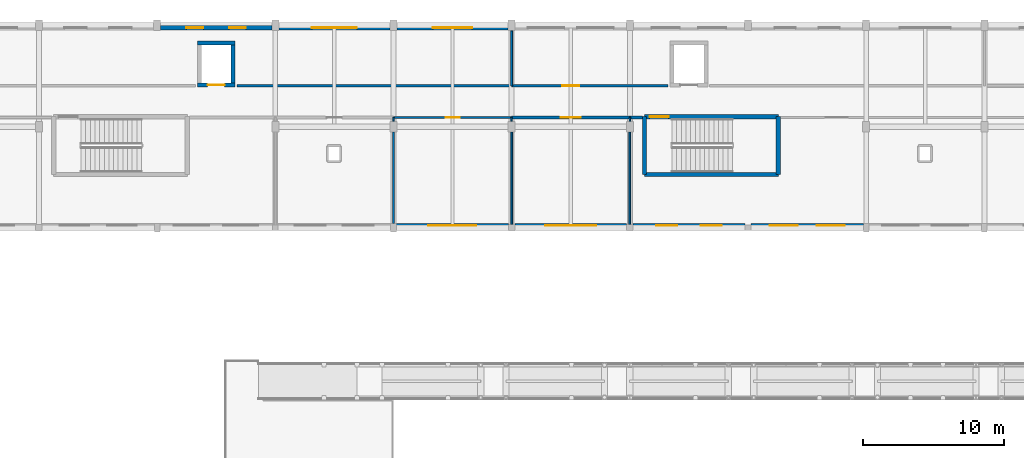
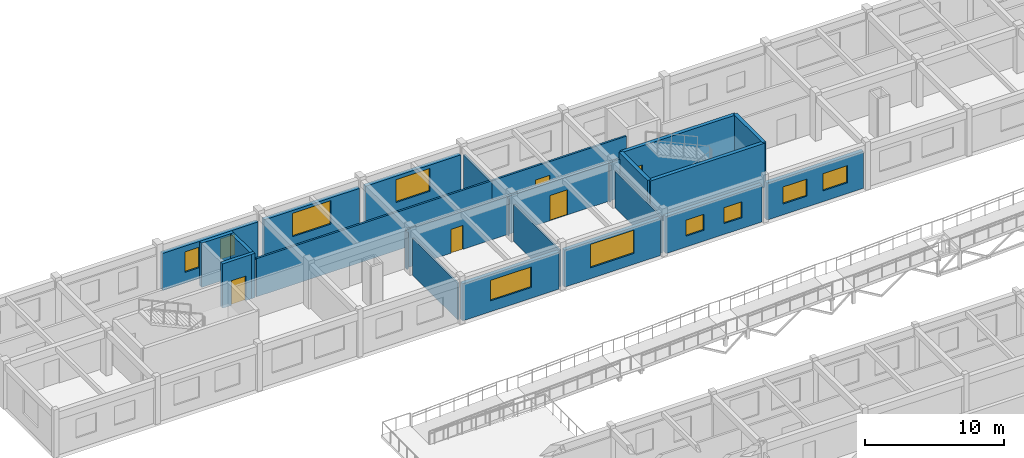
# One storey, part 30 of 41: 26 walls, 10 windows, 5 doors, 15 openings.
"""IFC4 building model written with IfcOpenShell, lengths in metres."""

import ifcopenshell
import ifcopenshell.guid

model = None  # the IFC model being written
_history = None  # IfcOwnerHistory: only IFC2X3 demands one
_inside = {}  # id of a spatial element -> (the spatial element, [elements in it])
_under = {}  # id of a project, library or spatial element -> (it, [spatial elements below it])
_declared = {}  # id of a project -> (the project, [libraries it declares])
_typed = {}  # id of a type object -> (the type object, [elements of that type])
_made_of = {}  # id of a material, layer set ... -> (it, [elements and type objects made of it])


def new_model(schema):
    """Start an empty IFC model of exactly this schema.

    Asked for "IFC4X3", IfcOpenShell would pick the latest addendum, in which some entities
    have other attributes; the version numbers below select the first issue.
    IFC2X3 requires an IfcOwnerHistory on every rooted entity: one is made here for all.
    """
    global model, _history
    if schema == "IFC4X3":
        model = ifcopenshell.file(schema_version=(4, 3, 0, 0))
    else:
        model = ifcopenshell.file(schema=schema)
    _inside.clear()
    _under.clear()
    _declared.clear()
    _typed.clear()
    _made_of.clear()
    _history = None
    if model.schema == "IFC2X3":
        org = make("IfcOrganization", Name="unknown")
        user = make(
            "IfcPersonAndOrganization",
            ThePerson=make("IfcPerson", FamilyName="unknown"),
            TheOrganization=org,
        )
        app = make(
            "IfcApplication",
            ApplicationDeveloper=org,
            Version="unknown",
            ApplicationFullName="unknown",
            ApplicationIdentifier="unknown",
        )
        _history = make(
            "IfcOwnerHistory",
            OwningUser=user,
            OwningApplication=app,
            ChangeAction="ADDED",
            CreationDate=0,
        )
    return model


def make(cls, **values):
    """One entity of the class cls with the attributes given. An attribute that is None is left unset."""
    return model.create_entity(
        cls, **{name: value for name, value in values.items() if value is not None}
    )


def rooted(cls, **values):
    """An entity with a GlobalId (a new one), such as an element, a storey or a relation."""
    return make(cls, GlobalId=ifcopenshell.guid.new(), OwnerHistory=_history, **values)


def si_unit(unit_type, name, prefix=None):
    """IfcSIUnit, for example si_unit("LENGTHUNIT", "METRE", prefix="MILLI")."""
    return make("IfcSIUnit", UnitType=unit_type, Prefix=prefix, Name=name)


def assignment(units):
    """IfcUnitAssignment: the units of a project."""
    return None if units is None else make("IfcUnitAssignment", Units=units)


def point(xyz):
    """IfcCartesianPoint."""
    return None if xyz is None else make("IfcCartesianPoint", Coordinates=xyz)


def direction(xyz):
    """IfcDirection."""
    return None if xyz is None else make("IfcDirection", DirectionRatios=xyz)


def frame(location, z_axis=None, x_axis=None):
    """IfcAxis2Placement3D, a coordinate frame: its origin and axes. An axis left out is left unset."""
    return make(
        "IfcAxis2Placement3D",
        Location=point(location),
        Axis=direction(z_axis),
        RefDirection=direction(x_axis),
    )


def frame_2d(location, x_axis=None):
    """IfcAxis2Placement2D, a coordinate frame in the plane: its origin and x axis."""
    return make(
        "IfcAxis2Placement2D", Location=point(location), RefDirection=direction(x_axis)
    )


def origin():
    """The frame at (0, 0, 0) with its axes left unset."""
    return frame((0.0, 0.0, 0.0))


def place(relative_to, where):
    """IfcLocalPlacement: puts the frame where relative to a parent placement (None: the world)."""
    return make(
        "IfcLocalPlacement", PlacementRelTo=relative_to, RelativePlacement=where
    )


def context(
    kind, dimensions, precision=None, world=None, true_north=None, identifier=None
):
    """IfcGeometricRepresentationContext, for example the 3D "Model" context."""
    return make(
        "IfcGeometricRepresentationContext",
        ContextIdentifier=identifier,
        ContextType=kind,
        CoordinateSpaceDimension=dimensions,
        Precision=precision,
        WorldCoordinateSystem=world,
        TrueNorth=true_north,
    )


def subcontext(parent, identifier, kind, view, scale=None):
    """IfcGeometricRepresentationSubContext, for example "Body" below "Model"."""
    return make(
        "IfcGeometricRepresentationSubContext",
        ContextIdentifier=identifier,
        ContextType=kind,
        ParentContext=parent,
        TargetScale=scale,
        TargetView=view,
    )


def project(units=None, contexts=None):
    """IfcProject with its units and contexts."""
    return rooted(
        "IfcProject",
        Name="project",
        RepresentationContexts=contexts,
        UnitsInContext=assignment(units),
    )


def spatial(cls, under=None, at=None, **own):
    """A site, building, storey or space (cls), placed at a placement, below another one or the project."""
    s = rooted(cls, ObjectPlacement=at, **own)
    if under is not None:
        _under.setdefault(under.id(), (under, []))[1].append(s)
    return s


def profile(cls, at=None, kind="AREA", **sizes):
    """A parametric profile (cls). Its sizes go by their IFC names, for example OverallWidth=200.0."""
    return make(cls, ProfileType=kind, Position=at, **sizes)


def rectangle(**sizes):
    """IfcRectangleProfileDef."""
    return profile("IfcRectangleProfileDef", **sizes)


def extrude(swept, where, along, depth):
    """IfcExtrudedAreaSolid: the profile swept, set in the frame where, extruded along a direction by depth."""
    return make(
        "IfcExtrudedAreaSolid",
        SweptArea=swept,
        Position=where,
        ExtrudedDirection=direction(along),
        Depth=depth,
    )


def shape(context_of_items, identifier, shape_type, items):
    """IfcShapeRepresentation: the items that make up one representation, for example the "Body"."""
    return make(
        "IfcShapeRepresentation",
        ContextOfItems=context_of_items,
        RepresentationIdentifier=identifier,
        RepresentationType=shape_type,
        Items=items,
    )


def material(Name=None, Category=None):
    """IfcMaterial."""
    return make("IfcMaterial", Name=Name, Category=Category)


def layer(
    of_material, thickness, ventilated=None, Name=None, Category=None, Priority=None
):
    """IfcMaterialLayer: one layer of a wall or slab, of a material (None: an air gap)."""
    return make(
        "IfcMaterialLayer",
        Material=of_material,
        LayerThickness=thickness,
        IsVentilated=ventilated,
        Name=Name,
        Category=Category,
        Priority=Priority,
    )


def layer_set(layers, Name=None):
    """IfcMaterialLayerSet."""
    return make("IfcMaterialLayerSet", MaterialLayers=layers, LayerSetName=Name)


def made_of(thing, what):
    """Note that an element or type object is made of a material, layer set ...; save() writes the relation."""
    if what is not None:
        _made_of.setdefault(what.id(), (what, []))[1].append(thing)
    return thing


def type_object(cls, material=None, **own):
    """A type object (cls), such as IfcWallType, which elements share."""
    return made_of(rooted(cls, **own), material)


def element(
    cls,
    number,
    at=None,
    inside=None,
    cuts=None,
    type_object=None,
    material=None,
    context=None,
    identifier="Body",
    shape_type=None,
    held_by="IfcProductDefinitionShape",
    body=None,
    shapes=None,
    **own,
):
    """One element of the class cls, such as IfcWall. Its Tag is "e" and its number.

    at: its placement. inside: the storey or other place that contains it. cuts: it is an
    opening in that element (IfcRelVoidsElement). A single representation is given by context,
    identifier, shape_type and body (its items); several are given by shapes. held_by: the class
    of the entity that holds the representations. save() writes the other relations.
    """
    e = rooted(cls, Tag="e%d" % number, ObjectPlacement=at, **own)
    if body is not None:
        shapes = [shape(context, identifier, shape_type, body)]
    if shapes is not None:
        e.Representation = make(held_by, Representations=shapes)
    if inside is not None:
        _inside.setdefault(inside.id(), (inside, []))[1].append(e)
    if cuts is not None:
        rooted(
            "IfcRelVoidsElement", RelatingBuildingElement=cuts, RelatedOpeningElement=e
        )
    if type_object is not None:
        _typed.setdefault(type_object.id(), (type_object, []))[1].append(e)
    return made_of(e, material)


def fill(opening, filler):
    """IfcRelFillsElement: the door or window that sits in an opening."""
    return rooted(
        "IfcRelFillsElement",
        RelatingOpeningElement=opening,
        RelatedBuildingElement=filler,
    )


def aggregate(whole, parts):
    """IfcRelAggregates: a whole, such as a stair, and the parts it consists of."""
    return rooted("IfcRelAggregates", RelatingObject=whole, RelatedObjects=parts)


def save(model, path):
    """Write the relations noted so far, then the file.

    IfcRelAggregates (storeys below a building ...), IfcRelContainedInSpatialStructure (elements
    in a storey), IfcRelDefinesByType, IfcRelAssociatesMaterial and IfcRelDeclares: one each for
    every whole, place, type object, material and project.
    """
    for whole, parts in _under.values():
        aggregate(whole, parts)
    for where, things in _inside.values():
        rooted(
            "IfcRelContainedInSpatialStructure",
            RelatedElements=things,
            RelatingStructure=where,
        )
    for kind, things in _typed.values():
        rooted("IfcRelDefinesByType", RelatedObjects=things, RelatingType=kind)
    for what, things in _made_of.values():
        rooted("IfcRelAssociatesMaterial", RelatedObjects=things, RelatingMaterial=what)
    for by, libraries in _declared.values():
        rooted("IfcRelDeclares", RelatingContext=by, RelatedDefinitions=libraries)
    model.write(path)


model = new_model("IFC4")

# Units and contexts
model_context = context("Model", 3, precision=1e-05, world=origin(), true_north=direction((0.0, 1.0)))
body_context = subcontext(model_context, "Body", "Model", "MODEL_VIEW")
ifc_project = project(units=[si_unit("LENGTHUNIT", "METRE"), si_unit("AREAUNIT", "SQUARE_METRE"), si_unit("VOLUMEUNIT", "CUBIC_METRE"), si_unit("PLANEANGLEUNIT", "RADIAN"), si_unit("MASSUNIT", "GRAM", prefix="KILO")], contexts=[model_context])

# Site, building, storey
site_placement = place(None, origin())
site = spatial("IfcSite", under=ifc_project, at=site_placement, CompositionType="ELEMENT")
building_placement = place(site_placement, origin())
building = spatial("IfcBuilding", under=site, at=building_placement, Name="Malvenik Polytechnic", CompositionType="ELEMENT")
storey_placement = place(building_placement, frame((0.0, 0.0, 17.699951171875)))
storey = spatial("IfcBuildingStorey", under=building, at=storey_placement, Name="L04", CompositionType="ELEMENT", Elevation=17.699951171875)

# Wall, opening, door
ifc_material_1 = material(Name="Concrete C35/45", Category="concrete")
ifc_layer_1 = layer(ifc_material_1, 0.280029296875)
ifc_layer_set_1 = layer_set([ifc_layer_1], Name="Concrete C35/45")
wall_type_1 = type_object("IfcWallType", Name="ARC-CW-S280", PredefinedType="SHEAR", material=ifc_layer_set_1)
wall_1_placement = place(storey_placement, frame((22.340087890625, 125.35009765625, 0.0), z_axis=(0.0, 0.0, 1.0), x_axis=(-1.0, 0.0, 0.0)))
wall_1 = element("IfcWall", 1, at=wall_1_placement, inside=storey, type_object=wall_type_1, Name="Lift Shaft Shear Wall LS-01 L04 -Y", PredefinedType="SHEAR", context=body_context, shape_type="SweptSolid", body=[
    extrude(rectangle(XDim=2.68017578125, YDim=0.280029296875, at=frame_2d((1.340087890625, 0.0))), origin(), (0.0, 0.0, 1.0), 3.880126953125),
])
opening_1_placement = place(wall_1_placement, frame((0.739990234375, 0.0, 0.0)))
opening_1 = element("IfcOpeningElement", 2, at=opening_1_placement, cuts=wall_1, Name="Opening LD-02", PredefinedType="OPENING", context=body_context, shape_type="SweptSolid", body=[
    extrude(rectangle(XDim=1.199951171875, YDim=2.14990234375, at=frame_2d((0.60009765625, 1.074951171875))), frame((0.0, 0.14990234375, 0.0), z_axis=(0.0, -1.0, 0.0), x_axis=(1.0, 0.0, 0.0)), (0.0, 0.0, 1.0), 0.300048828125),
])
ifc_material_2 = material(Name="Stainless steel fire-rated sliding lift landing door", Category="steel")
door_type_1 = type_object("IfcDoorType", Name="ARC-LDR-LD-02", OperationType="NOTDEFINED", PredefinedType="DOOR", material=ifc_material_2)
door_1_placement = place(opening_1_placement, origin())
door_1 = element("IfcDoor", 3, at=door_1_placement, inside=storey, type_object=door_type_1, Name="Lift Sliding Landing Door LS-01 L04", OperationType="DOUBLE_DOOR_SLIDING", OverallHeight=2.14990234375, OverallWidth=1.199951171875, PredefinedType="DOOR", context=body_context, shape_type="SweptSolid", body=[
    extrude(rectangle(XDim=1.199951171875, YDim=2.14990234375, at=frame_2d((0.60009765625, 1.074951171875))), frame((0.0, 0.02490234375, 0.0), z_axis=(0.0, -1.0, 0.0), x_axis=(1.0, 0.0, 0.0)), (0.0, 0.0, 1.0), 0.050048828125),
])
fill(opening_1, door_1)

# Walls
wall_2_placement = place(storey_placement, frame((19.659912109375, 128.35009765625, 0.0), z_axis=(0.0, 0.0, 1.0), x_axis=(1.0, 0.0, 0.0)))
element("IfcWall", 4, at=wall_2_placement, inside=storey, type_object=wall_type_1, Name="Lift Shaft Shear Wall LS-01 L04 +Y", PredefinedType="SHEAR", context=body_context, shape_type="SweptSolid", body=[
    extrude(rectangle(XDim=2.68017578125, YDim=0.280029296875, at=frame_2d((1.340087890625, 0.0))), origin(), (0.0, 0.0, 1.0), 3.880126953125),
])
wall_3_placement = place(storey_placement, frame((22.199951171875, 128.489990234375, 0.0), z_axis=(0.0, 0.0, 1.0), x_axis=(0.0, -1.0, 0.0)))
element("IfcWall", 5, at=wall_3_placement, inside=storey, type_object=wall_type_1, Name="Lift Shaft Shear Wall LS-01 L04 +X", PredefinedType="SHEAR", context=body_context, shape_type="SweptSolid", body=[
    extrude(rectangle(XDim=3.280029296875, YDim=0.280029296875, at=frame_2d((1.64013671875, 0.0))), origin(), (0.0, 0.0, 1.0), 3.880126953125),
])
ifc_layer_2 = layer(ifc_material_1, 0.300048828125)
ifc_layer_set_2 = layer_set([ifc_layer_2], Name="Concrete C35/45")
wall_type_2 = type_object("IfcWallType", Name="ARC-CW-S300", PredefinedType="SHEAR", material=ifc_layer_set_2)
wall_4_placement = place(storey_placement, frame((51.449951171875, 119.0, 0.0), z_axis=(0.0, 0.0, 1.0), x_axis=(0.0, 1.0, 0.0)))
element("IfcWall", 6, at=wall_4_placement, inside=storey, type_object=wall_type_2, Name="Stair Core Shear Wall ST-02 L04 NEAR", PredefinedType="SHEAR", context=body_context, shape_type="SweptSolid", body=[
    extrude(rectangle(XDim=4.10009765625, YDim=0.300048828125, at=frame_2d((2.050048828125, 0.0))), origin(), (0.0, 0.0, 1.0), 3.880126953125),
])

# Wall, opening, door
wall_5_placement = place(storey_placement, frame((51.449951171875, 123.10009765625, 0.0), z_axis=(0.0, 0.0, 1.0), x_axis=(1.0, 0.0, 0.0)))
wall_5 = element("IfcWall", 7, at=wall_5_placement, inside=storey, type_object=wall_type_2, Name="Stair Core Shear Wall ST-02 L04 RGHT", PredefinedType="SHEAR", context=body_context, shape_type="SweptSolid", body=[
    extrude(rectangle(XDim=9.5, YDim=0.300048828125, at=frame_2d((4.75, 0.0))), origin(), (0.0, 0.0, 1.0), 3.880126953125),
])
opening_2_placement = place(wall_5_placement, frame((0.35009765625, 0.0, 0.0)))
opening_2 = element("IfcOpeningElement", 8, at=opening_2_placement, cuts=wall_5, Name="Opening SD-01", PredefinedType="OPENING", context=body_context, shape_type="SweptSolid", body=[
    extrude(rectangle(XDim=1.35009765625, YDim=2.199951171875, at=frame_2d((0.675048828125, 1.10009765625))), frame((0.0, 0.16015625, 0.0), z_axis=(0.0, -1.0, 0.0), x_axis=(1.0, 0.0, 0.0)), (0.0, 0.0, 1.0), 0.320068359375),
])
ifc_material_3 = material(Name="Fire-rated steel stair enclosure door", Category="steel")
door_type_2 = type_object("IfcDoorType", Name="ARC-IDR-SD-01", OperationType="NOTDEFINED", PredefinedType="DOOR", material=ifc_material_3)
door_2_placement = place(opening_2_placement, origin())
door_2 = element("IfcDoor", 9, at=door_2_placement, inside=storey, type_object=door_type_2, Name="Fire Stair Door ST-02 L04", OperationType="SINGLE_SWING_LEFT", OverallHeight=2.199951171875, OverallWidth=1.35009765625, PredefinedType="DOOR", context=body_context, shape_type="SweptSolid", body=[
    extrude(rectangle(XDim=1.35009765625, YDim=2.199951171875, at=frame_2d((0.675048828125, 1.10009765625))), frame((0.0, 0.02490234375, 0.0), z_axis=(0.0, -1.0, 0.0), x_axis=(1.0, 0.0, 0.0)), (0.0, 0.0, 1.0), 0.050048828125),
])
fill(opening_2, door_2)

# Walls
wall_6_placement = place(storey_placement, frame((60.949951171875, 123.10009765625, 0.0), z_axis=(0.0, 0.0, 1.0), x_axis=(0.0, -1.0, 0.0)))
element("IfcWall", 10, at=wall_6_placement, inside=storey, type_object=wall_type_2, Name="Stair Core Shear Wall ST-02 L04 FAR", PredefinedType="SHEAR", context=body_context, shape_type="SweptSolid", body=[
    extrude(rectangle(XDim=4.10009765625, YDim=0.300048828125, at=frame_2d((2.050048828125, 0.0))), origin(), (0.0, 0.0, 1.0), 3.880126953125),
])
wall_7_placement = place(storey_placement, frame((60.949951171875, 119.0, 0.0), z_axis=(0.0, 0.0, 1.0), x_axis=(-1.0, 0.0, 0.0)))
element("IfcWall", 11, at=wall_7_placement, inside=storey, type_object=wall_type_2, Name="Stair Core Shear Wall ST-02 L04 LEFT", PredefinedType="SHEAR", context=body_context, shape_type="SweptSolid", body=[
    extrude(rectangle(XDim=9.5, YDim=0.300048828125, at=frame_2d((4.75, 0.0))), origin(), (0.0, 0.0, 1.0), 3.880126953125),
])

# Wall, openings, windows
ifc_material_4 = material(Name="Brick masonry M15", Category="masonry")
ifc_layer_3 = layer(ifc_material_4, 0.31005859375)
ifc_layer_set_3 = layer_set([ifc_layer_3], Name="Brick masonry M15")
wall_type_3 = type_object("IfcWallType", Name="ARC-EW-310", PredefinedType="SOLIDWALL", material=ifc_layer_set_3)
wall_8_placement = place(storey_placement, frame((17.048095703125, 129.429931640625, 0.0), z_axis=(0.0, 0.0, 1.0), x_axis=(1.0, 0.0, 0.0)))
wall_8 = element("IfcWall", 12, at=wall_8_placement, inside=storey, type_object=wall_type_3, Name="External Facade Wall EW-03 L04 #420", PredefinedType="SOLIDWALL", context=body_context, shape_type="SweptSolid", body=[
    extrude(rectangle(XDim=7.90380859375, YDim=0.31005859375, at=frame_2d((3.951904296875, 0.0))), origin(), (0.0, 0.0, 1.0), 3.25),
])
opening_3_placement = place(wall_8_placement, frame((1.834716796875, 0.0, 0.949951171875)))
opening_3 = element("IfcOpeningElement", 13, at=opening_3_placement, cuts=wall_8, Name="Opening W-07", PredefinedType="OPENING", context=body_context, shape_type="SweptSolid", body=[
    extrude(rectangle(XDim=1.199951171875, YDim=1.800048828125, at=frame_2d((0.60009765625, 0.89990234375))), frame((0.0, 0.1650390625, 0.0), z_axis=(0.0, -1.0, 0.0), x_axis=(1.0, 0.0, 0.0)), (0.0, 0.0, 1.0), 0.330078125),
])
opening_4_placement = place(wall_8_placement, frame((4.869384765625, 0.0, 0.949951171875)))
opening_4 = element("IfcOpeningElement", 14, at=opening_4_placement, cuts=wall_8, Name="Opening W-07", PredefinedType="OPENING", context=body_context, shape_type="SweptSolid", body=[
    extrude(rectangle(XDim=1.199951171875, YDim=1.800048828125, at=frame_2d((0.60009765625, 0.89990234375))), frame((0.0, 0.1650390625, 0.0), z_axis=(0.0, -1.0, 0.0), x_axis=(1.0, 0.0, 0.0)), (0.0, 0.0, 1.0), 0.330078125),
])
ifc_material_5 = material(Name="Thermally broken aluminium frame with low-E double glazing", Category="aluminium")
window_type_1 = type_object("IfcWindowType", Name="ARC-WIN-W-07", PartitioningType="SINGLE_PANEL", PredefinedType="WINDOW", material=ifc_material_5)
window_1_placement = place(opening_3_placement, origin())
window_1 = element("IfcWindow", 15, at=window_1_placement, inside=storey, type_object=window_type_1, Name="Punched Window W-07 L04 #429", OverallHeight=1.800048828125, OverallWidth=1.199951171875, PartitioningType="SINGLE_PANEL", PredefinedType="WINDOW", context=body_context, shape_type="SweptSolid", body=[
    extrude(rectangle(XDim=1.199951171875, YDim=1.800048828125, at=frame_2d((0.60009765625, 0.89990234375))), frame((0.0, 0.030029296875, 0.0), z_axis=(0.0, -1.0, 0.0), x_axis=(1.0, 0.0, 0.0)), (0.0, 0.0, 1.0), 0.06005859375),
])
fill(opening_3, window_1)
window_2_placement = place(opening_4_placement, origin())
window_2 = element("IfcWindow", 16, at=window_2_placement, inside=storey, type_object=window_type_1, Name="Punched Window W-07 L04 #430", OverallHeight=1.800048828125, OverallWidth=1.199951171875, PartitioningType="SINGLE_PANEL", PredefinedType="WINDOW", context=body_context, shape_type="SweptSolid", body=[
    extrude(rectangle(XDim=1.199951171875, YDim=1.800048828125, at=frame_2d((0.60009765625, 0.89990234375))), frame((0.0, 0.030029296875, 0.0), z_axis=(0.0, -1.0, 0.0), x_axis=(1.0, 0.0, 0.0)), (0.0, 0.0, 1.0), 0.06005859375),
])
fill(opening_4, window_2)

# Wall, opening, window
wall_9_placement = place(storey_placement, frame((25.447998046875, 129.429931640625, 0.0), z_axis=(0.0, 0.0, 1.0), x_axis=(1.0, 0.0, 0.0)))
wall_9 = element("IfcWall", 17, at=wall_9_placement, inside=storey, type_object=wall_type_3, Name="External Facade Wall EW-03 L04 #421", PredefinedType="SOLIDWALL", context=body_context, shape_type="SweptSolid", body=[
    extrude(rectangle(XDim=7.904052734375, YDim=0.31005859375, at=frame_2d((3.9521484375, 0.0))), origin(), (0.0, 0.0, 1.0), 3.25),
])
opening_5_placement = place(wall_9_placement, frame((2.35205078125, 0.0, 0.949951171875)))
opening_5 = element("IfcOpeningElement", 18, at=opening_5_placement, cuts=wall_9, Name="Opening W-09", PredefinedType="OPENING", context=body_context, shape_type="SweptSolid", body=[
    extrude(rectangle(XDim=3.199951171875, YDim=2.050048828125, at=frame_2d((1.60009765625, 1.02490234375))), frame((0.0, 0.1650390625, 0.0), z_axis=(0.0, -1.0, 0.0), x_axis=(1.0, 0.0, 0.0)), (0.0, 0.0, 1.0), 0.330078125),
])
window_type_2 = type_object("IfcWindowType", Name="ARC-WIN-W-09", PartitioningType="SINGLE_PANEL", PredefinedType="WINDOW", material=ifc_material_5)
window_3_placement = place(opening_5_placement, origin())
window_3 = element("IfcWindow", 19, at=window_3_placement, inside=storey, type_object=window_type_2, Name="Punched Window W-09 L04 #431", OverallHeight=2.050048828125, OverallWidth=3.199951171875, PartitioningType="SINGLE_PANEL", PredefinedType="WINDOW", context=body_context, shape_type="SweptSolid", body=[
    extrude(rectangle(XDim=3.199951171875, YDim=2.050048828125, at=frame_2d((1.60009765625, 1.02490234375))), frame((0.0, 0.030029296875, 0.0), z_axis=(0.0, -1.0, 0.0), x_axis=(1.0, 0.0, 0.0)), (0.0, 0.0, 1.0), 0.06005859375),
])
fill(opening_5, window_3)

wall_10_placement = place(storey_placement, frame((33.847900390625, 129.429931640625, 0.0), z_axis=(0.0, 0.0, 1.0), x_axis=(1.0, 0.0, 0.0)))
wall_10 = element("IfcWall", 20, at=wall_10_placement, inside=storey, type_object=wall_type_3, Name="External Facade Wall EW-03 L04 #422", PredefinedType="SOLIDWALL", context=body_context, shape_type="SweptSolid", body=[
    extrude(rectangle(XDim=7.904052734375, YDim=0.31005859375, at=frame_2d((3.9521484375, 0.0))), origin(), (0.0, 0.0, 1.0), 3.25),
])
opening_6_placement = place(wall_10_placement, frame((2.552001953125, 0.0, 0.949951171875)))
opening_6 = element("IfcOpeningElement", 21, at=opening_6_placement, cuts=wall_10, Name="Opening W-10", PredefinedType="OPENING", context=body_context, shape_type="SweptSolid", body=[
    extrude(rectangle(XDim=2.800048828125, YDim=2.0, at=frame_2d((1.39990234375, 1.0))), frame((0.0, 0.1650390625, 0.0), z_axis=(0.0, -1.0, 0.0), x_axis=(1.0, 0.0, 0.0)), (0.0, 0.0, 1.0), 0.330078125),
])
window_type_3 = type_object("IfcWindowType", Name="ARC-WIN-W-10", PartitioningType="SINGLE_PANEL", PredefinedType="WINDOW", material=ifc_material_5)
window_4_placement = place(opening_6_placement, origin())
window_4 = element("IfcWindow", 22, at=window_4_placement, inside=storey, type_object=window_type_3, Name="Punched Window W-10 L04 #432", OverallHeight=2.0, OverallWidth=2.800048828125, PartitioningType="SINGLE_PANEL", PredefinedType="WINDOW", context=body_context, shape_type="SweptSolid", body=[
    extrude(rectangle(XDim=2.800048828125, YDim=2.0, at=frame_2d((1.39990234375, 1.0))), frame((0.0, 0.030029296875, 0.0), z_axis=(0.0, -1.0, 0.0), x_axis=(1.0, 0.0, 0.0)), (0.0, 0.0, 1.0), 0.06005859375),
])
fill(opening_6, window_4)

# Wall, openings, windows
wall_11_placement = place(storey_placement, frame((67.001953125, 115.3701171875, 0.0), z_axis=(0.0, 0.0, 1.0), x_axis=(-1.0, 0.0, 0.0)))
wall_11 = element("IfcWall", 23, at=wall_11_placement, inside=storey, type_object=wall_type_3, Name="External Facade Wall EW-03 L04 #444", PredefinedType="SOLIDWALL", context=body_context, shape_type="SweptSolid", body=[
    extrude(rectangle(XDim=8.00390625, YDim=0.31005859375, at=frame_2d((4.001953125, 0.0))), origin(), (0.0, 0.0, 1.0), 3.25),
])
opening_7_placement = place(wall_11_placement, frame((1.334716796875, 0.0, 0.949951171875)))
opening_7 = element("IfcOpeningElement", 24, at=opening_7_placement, cuts=wall_11, Name="Opening W-13", PredefinedType="OPENING", context=body_context, shape_type="SweptSolid", body=[
    extrude(rectangle(XDim=2.0, YDim=1.5, at=frame_2d((1.0, 0.75))), frame((0.0, 0.1650390625, 0.0), z_axis=(0.0, -1.0, 0.0), x_axis=(1.0, 0.0, 0.0)), (0.0, 0.0, 1.0), 0.330078125),
])
opening_8_placement = place(wall_11_placement, frame((4.66943359375, 0.0, 0.949951171875)))
opening_8 = element("IfcOpeningElement", 25, at=opening_8_placement, cuts=wall_11, Name="Opening W-13", PredefinedType="OPENING", context=body_context, shape_type="SweptSolid", body=[
    extrude(rectangle(XDim=2.0, YDim=1.5, at=frame_2d((1.0, 0.75))), frame((0.0, 0.1650390625, 0.0), z_axis=(0.0, -1.0, 0.0), x_axis=(1.0, 0.0, 0.0)), (0.0, 0.0, 1.0), 0.330078125),
])
window_type_4 = type_object("IfcWindowType", Name="ARC-WIN-W-13", PartitioningType="SINGLE_PANEL", PredefinedType="WINDOW", material=ifc_material_5)
window_5_placement = place(opening_7_placement, origin())
window_5 = element("IfcWindow", 26, at=window_5_placement, inside=storey, type_object=window_type_4, Name="Punched Window W-13 L04 #467", OverallHeight=1.5, OverallWidth=2.0, PartitioningType="SINGLE_PANEL", PredefinedType="WINDOW", context=body_context, shape_type="SweptSolid", body=[
    extrude(rectangle(XDim=2.0, YDim=1.5, at=frame_2d((1.0, 0.75))), frame((0.0, 0.030029296875, 0.0), z_axis=(0.0, -1.0, 0.0), x_axis=(1.0, 0.0, 0.0)), (0.0, 0.0, 1.0), 0.06005859375),
])
fill(opening_7, window_5)
window_6_placement = place(opening_8_placement, origin())
window_6 = element("IfcWindow", 27, at=window_6_placement, inside=storey, type_object=window_type_4, Name="Punched Window W-13 L04 #468", OverallHeight=1.5, OverallWidth=2.0, PartitioningType="SINGLE_PANEL", PredefinedType="WINDOW", context=body_context, shape_type="SweptSolid", body=[
    extrude(rectangle(XDim=2.0, YDim=1.5, at=frame_2d((1.0, 0.75))), frame((0.0, 0.030029296875, 0.0), z_axis=(0.0, -1.0, 0.0), x_axis=(1.0, 0.0, 0.0)), (0.0, 0.0, 1.0), 0.06005859375),
])
fill(opening_8, window_6)

wall_12_placement = place(storey_placement, frame((58.60205078125, 115.3701171875, 0.0), z_axis=(0.0, 0.0, 1.0), x_axis=(-1.0, 0.0, 0.0)))
wall_12 = element("IfcWall", 28, at=wall_12_placement, inside=storey, type_object=wall_type_3, Name="External Facade Wall EW-03 L04 #445", PredefinedType="SOLIDWALL", context=body_context, shape_type="SweptSolid", body=[
    extrude(rectangle(XDim=7.97900390625, YDim=0.31005859375, at=frame_2d((3.989501953125, 0.0))), origin(), (0.0, 0.0, 1.0), 3.25),
])
opening_9_placement = place(wall_12_placement, frame((1.65966796875, 0.0, 0.949951171875)))
opening_9 = element("IfcOpeningElement", 29, at=opening_9_placement, cuts=wall_12, Name="Opening W-15", PredefinedType="OPENING", context=body_context, shape_type="SweptSolid", body=[
    extrude(rectangle(XDim=1.5, YDim=1.39990234375, at=frame_2d((0.75, 0.699951171875))), frame((0.0, 0.1650390625, 0.0), z_axis=(0.0, -1.0, 0.0), x_axis=(1.0, 0.0, 0.0)), (0.0, 0.0, 1.0), 0.330078125),
])
opening_10_placement = place(wall_12_placement, frame((4.8193359375, 0.0, 0.949951171875)))
opening_10 = element("IfcOpeningElement", 30, at=opening_10_placement, cuts=wall_12, Name="Opening W-15", PredefinedType="OPENING", context=body_context, shape_type="SweptSolid", body=[
    extrude(rectangle(XDim=1.5, YDim=1.39990234375, at=frame_2d((0.75, 0.699951171875))), frame((0.0, 0.1650390625, 0.0), z_axis=(0.0, -1.0, 0.0), x_axis=(1.0, 0.0, 0.0)), (0.0, 0.0, 1.0), 0.330078125),
])
window_type_5 = type_object("IfcWindowType", Name="ARC-WIN-W-15", PartitioningType="SINGLE_PANEL", PredefinedType="WINDOW", material=ifc_material_5)
window_7_placement = place(opening_9_placement, origin())
window_7 = element("IfcWindow", 31, at=window_7_placement, inside=storey, type_object=window_type_5, Name="Punched Window W-15 L04 #469", OverallHeight=1.39990234375, OverallWidth=1.5, PartitioningType="SINGLE_PANEL", PredefinedType="WINDOW", context=body_context, shape_type="SweptSolid", body=[
    extrude(rectangle(XDim=1.5, YDim=1.39990234375, at=frame_2d((0.75, 0.699951171875))), frame((0.0, 0.030029296875, 0.0), z_axis=(0.0, -1.0, 0.0), x_axis=(1.0, 0.0, 0.0)), (0.0, 0.0, 1.0), 0.06005859375),
])
fill(opening_9, window_7)
window_8_placement = place(opening_10_placement, origin())
window_8 = element("IfcWindow", 32, at=window_8_placement, inside=storey, type_object=window_type_5, Name="Punched Window W-15 L04 #470", OverallHeight=1.39990234375, OverallWidth=1.5, PartitioningType="SINGLE_PANEL", PredefinedType="WINDOW", context=body_context, shape_type="SweptSolid", body=[
    extrude(rectangle(XDim=1.5, YDim=1.39990234375, at=frame_2d((0.75, 0.699951171875))), frame((0.0, 0.030029296875, 0.0), z_axis=(0.0, -1.0, 0.0), x_axis=(1.0, 0.0, 0.0)), (0.0, 0.0, 1.0), 0.06005859375),
])
fill(opening_10, window_8)

# Wall, opening, window
wall_13_placement = place(storey_placement, frame((50.177001953125, 115.3701171875, 0.0), z_axis=(0.0, 0.0, 1.0), x_axis=(-1.0, 0.0, 0.0)))
wall_13 = element("IfcWall", 33, at=wall_13_placement, inside=storey, type_object=wall_type_3, Name="External Facade Wall EW-03 L04 #446", PredefinedType="SOLIDWALL", context=body_context, shape_type="SweptSolid", body=[
    extrude(rectangle(XDim=7.9541015625, YDim=0.31005859375, at=frame_2d((3.97705078125, 0.0))), origin(), (0.0, 0.0, 1.0), 3.25),
])
opening_11_placement = place(wall_13_placement, frame((2.177001953125, 0.0, 0.949951171875)))
opening_11 = element("IfcOpeningElement", 34, at=opening_11_placement, cuts=wall_13, Name="Opening W-17", PredefinedType="OPENING", context=body_context, shape_type="SweptSolid", body=[
    extrude(rectangle(XDim=3.60009765625, YDim=2.050048828125, at=frame_2d((1.800048828125, 1.02490234375))), frame((0.0, 0.1650390625, 0.0), z_axis=(0.0, -1.0, 0.0), x_axis=(1.0, 0.0, 0.0)), (0.0, 0.0, 1.0), 0.330078125),
])
window_type_6 = type_object("IfcWindowType", Name="ARC-WIN-W-17", PartitioningType="SINGLE_PANEL", PredefinedType="WINDOW", material=ifc_material_5)
window_9_placement = place(opening_11_placement, origin())
window_9 = element("IfcWindow", 35, at=window_9_placement, inside=storey, type_object=window_type_6, Name="Punched Window W-17 L04 #471", OverallHeight=2.050048828125, OverallWidth=3.60009765625, PartitioningType="SINGLE_PANEL", PredefinedType="WINDOW", context=body_context, shape_type="SweptSolid", body=[
    extrude(rectangle(XDim=3.60009765625, YDim=2.050048828125, at=frame_2d((1.800048828125, 1.02490234375))), frame((0.0, 0.030029296875, 0.0), z_axis=(0.0, -1.0, 0.0), x_axis=(1.0, 0.0, 0.0)), (0.0, 0.0, 1.0), 0.06005859375),
])
fill(opening_11, window_9)

wall_14_placement = place(storey_placement, frame((41.777099609375, 115.3701171875, 0.0), z_axis=(0.0, 0.0, 1.0), x_axis=(-1.0, 0.0, 0.0)))
wall_14 = element("IfcWall", 36, at=wall_14_placement, inside=storey, type_object=wall_type_3, Name="External Facade Wall EW-03 L04 #447", PredefinedType="SOLIDWALL", context=body_context, shape_type="SweptSolid", body=[
    extrude(rectangle(XDim=7.97900390625, YDim=0.31005859375, at=frame_2d((3.989501953125, 0.0))), origin(), (0.0, 0.0, 1.0), 3.25),
])
opening_12_placement = place(wall_14_placement, frame((2.28955078125, 0.0, 0.949951171875)))
opening_12 = element("IfcOpeningElement", 37, at=opening_12_placement, cuts=wall_14, Name="Opening W-18", PredefinedType="OPENING", context=body_context, shape_type="SweptSolid", body=[
    extrude(rectangle(XDim=3.39990234375, YDim=1.800048828125, at=frame_2d((1.699951171875, 0.89990234375))), frame((0.0, 0.1650390625, 0.0), z_axis=(0.0, -1.0, 0.0), x_axis=(1.0, 0.0, 0.0)), (0.0, 0.0, 1.0), 0.330078125),
])
window_type_7 = type_object("IfcWindowType", Name="ARC-WIN-W-18", PartitioningType="SINGLE_PANEL", PredefinedType="WINDOW", material=ifc_material_5)
window_10_placement = place(opening_12_placement, origin())
window_10 = element("IfcWindow", 38, at=window_10_placement, inside=storey, type_object=window_type_7, Name="Punched Window W-18 L04 #472", OverallHeight=1.800048828125, OverallWidth=3.39990234375, PartitioningType="SINGLE_PANEL", PredefinedType="WINDOW", context=body_context, shape_type="SweptSolid", body=[
    extrude(rectangle(XDim=3.39990234375, YDim=1.800048828125, at=frame_2d((1.699951171875, 0.89990234375))), frame((0.0, 0.030029296875, 0.0), z_axis=(0.0, -1.0, 0.0), x_axis=(1.0, 0.0, 0.0)), (0.0, 0.0, 1.0), 0.06005859375),
])
fill(opening_12, window_10)

# Wall, opening, door
ifc_material_6 = material(Name="Calcium silicate fire-rated blockwork 200mm", Category="masonry")
ifc_layer_4 = layer(ifc_material_6, 0.199951171875)
ifc_layer_set_4 = layer_set([ifc_layer_4], Name="Calcium silicate fire-rated blockwork 200mm")
wall_type_4 = type_object("IfcWallType", Name="ARC-FW-200", PredefinedType="SOLIDWALL", material=ifc_layer_set_4)
wall_15_placement = place(storey_placement, frame((50.39990234375, 123.050048828125, 0.0), z_axis=(0.0, 0.0, 1.0), x_axis=(-1.0, 0.0, 0.0)))
wall_15 = element("IfcWall", 39, at=wall_15_placement, inside=storey, type_object=wall_type_4, Name="Interior Partition FW-02 L04 #372", PredefinedType="SOLIDWALL", context=body_context, shape_type="SweptSolid", body=[
    extrude(rectangle(XDim=8.39990234375, YDim=0.199951171875, at=frame_2d((4.199951171875, 0.0))), origin(), (0.0, 0.0, 1.0), 3.35498046875),
])
opening_13_placement = place(wall_15_placement, frame((3.47509765625, 0.0, 0.0)))
opening_13 = element("IfcOpeningElement", 40, at=opening_13_placement, cuts=wall_15, Name="Opening FD-08", PredefinedType="OPENING", context=body_context, shape_type="SweptSolid", body=[
    extrude(rectangle(XDim=1.449951171875, YDim=2.199951171875, at=frame_2d((0.72509765625, 1.10009765625))), frame((0.0, 0.10986328125, 0.0), z_axis=(0.0, -1.0, 0.0), x_axis=(1.0, 0.0, 0.0)), (0.0, 0.0, 1.0), 0.219970703125),
])
ifc_material_7 = material(Name="Fire-rated seminar corridor door", Category="steel")
door_type_3 = type_object("IfcDoorType", Name="ARC-IDR-FD-08", OperationType="NOTDEFINED", PredefinedType="DOOR", material=ifc_material_7)
door_3_placement = place(opening_13_placement, origin())
door_3 = element("IfcDoor", 41, at=door_3_placement, inside=storey, type_object=door_type_3, Name="Interior Door FD-08 L04 #157", OperationType="SINGLE_SWING_LEFT", OverallHeight=2.199951171875, OverallWidth=1.449951171875, PredefinedType="DOOR", context=body_context, shape_type="SweptSolid", body=[
    extrude(rectangle(XDim=1.449951171875, YDim=2.199951171875, at=frame_2d((0.72509765625, 1.10009765625))), frame((0.0, 0.02490234375, 0.0), z_axis=(0.0, -1.0, 0.0), x_axis=(1.0, 0.0, 0.0)), (0.0, 0.0, 1.0), 0.050048828125),
])
fill(opening_13, door_3)

# Walls
wall_16_placement = place(storey_placement, frame((51.31005859375, 123.050048828125, 0.0), z_axis=(0.0, 0.0, 1.0), x_axis=(-1.0, 0.0, 0.0)))
element("IfcWall", 42, at=wall_16_placement, inside=storey, type_object=wall_type_4, Name="Interior Partition FW-02 L04 #376", PredefinedType="SOLIDWALL", context=body_context, shape_type="SweptSolid", body=[
    extrude(rectangle(XDim=0.91015625, YDim=0.199951171875, at=frame_2d((0.455078125, 0.0))), origin(), (0.0, 0.0, 1.0), 3.35498046875),
])
ifc_material_8 = material(Name="Lightweight gypsum partition 110mm", Category="gypsum")
ifc_layer_5 = layer(ifc_material_8, 0.110107421875)
ifc_layer_set_5 = layer_set([ifc_layer_5], Name="Lightweight gypsum partition 110mm")
wall_type_5 = type_object("IfcWallType", Name="ARC-PW-110", PredefinedType="PARTITIONING", material=ifc_layer_set_5)
for number, where, z_axis, x_axis, name in (
    (43, (33.60009765625, 122.794921875, 0.0), (0.0, 0.0, 1.0), (0.0, 1.0, 0.0), "Interior Partition PW-04I L04 #368"),
    (44, (42.0, 122.794921875, 0.0), (0.0, 0.0, 1.0), (0.0, 1.0, 0.0), "Interior Partition PW-04I L04 #371"),
    (45, (50.39990234375, 122.794921875, 0.0), (0.0, 0.0, 1.0), (0.0, 1.0, 0.0), "Interior Partition PW-04I L04 #374"),
):
    element("IfcWall", number, at=place(storey_placement, frame(where, z_axis=z_axis, x_axis=x_axis)), inside=storey, type_object=wall_type_5, Name=name, PredefinedType="PARTITIONING", context=body_context, shape_type="SweptSolid", body=[
        extrude(rectangle(XDim=0.255126953125, YDim=0.110107421875, at=frame_2d((0.12744140625, 0.0))), origin(), (0.0, 0.0, 1.0), 3.22509765625),
    ])
ifc_material_9 = material(Name="Metal-stud gypsum board partition 125mm", Category="gypsum")
ifc_layer_6 = layer(ifc_material_9, 0.125)
ifc_layer_set_6 = layer_set([ifc_layer_6], Name="Metal-stud gypsum board partition 125mm")
wall_type_6 = type_object("IfcWallType", Name="ARC-PW-125", PredefinedType="PARTITIONING", material=ifc_layer_set_6)
wall_17_placement = place(storey_placement, frame((33.60009765625, 115.52001953125, 0.0), z_axis=(0.0, 0.0, 1.0), x_axis=(0.0, 1.0, 0.0)))
element("IfcWall", 46, at=wall_17_placement, inside=storey, type_object=wall_type_6, Name="Interior Partition PW-03I L04 #367", PredefinedType="PARTITIONING", context=body_context, shape_type="SweptSolid", body=[
    extrude(rectangle(XDim=6.48486328125, YDim=0.125, at=frame_2d((3.242431640625, 0.0))), origin(), (0.0, 0.0, 1.0), 3.22509765625),
])
for number, where, z_axis, x_axis, name in (
    (47, (42.0, 115.445068359375, 0.0), (0.0, 0.0, 1.0), (0.0, 1.0, 0.0), "Interior Partition PW-03I L04 #370"),
    (48, (50.39990234375, 115.445068359375, 0.0), (0.0, 0.0, 1.0), (0.0, 1.0, 0.0), "Interior Partition PW-03I L04 #373"),
):
    element("IfcWall", number, at=place(storey_placement, frame(where, z_axis=z_axis, x_axis=x_axis)), inside=storey, type_object=wall_type_6, Name=name, PredefinedType="PARTITIONING", context=body_context, shape_type="SweptSolid", body=[
        extrude(rectangle(XDim=6.559814453125, YDim=0.125, at=frame_2d((3.27978515625, 0.0))), origin(), (0.0, 0.0, 1.0), 3.22509765625),
    ])
ifc_material_10 = material(Name="Acoustic metal-stud gypsum partition 140mm", Category="gypsum")
ifc_layer_7 = layer(ifc_material_10, 0.139892578125)
ifc_layer_set_7 = layer_set([ifc_layer_7], Name="Acoustic metal-stud gypsum partition 140mm")
wall_type_7 = type_object("IfcWallType", Name="ARC-PW-140", PredefinedType="PARTITIONING", material=ifc_layer_set_7)
wall_18_placement = place(storey_placement, frame((42.0, 125.300048828125, 0.0), z_axis=(0.0, 0.0, 1.0), x_axis=(0.0, 1.0, 0.0)))
element("IfcWall", 49, at=wall_18_placement, inside=storey, type_object=wall_type_7, Name="Interior Partition PW-02I L04 #354", PredefinedType="PARTITIONING", context=body_context, shape_type="SweptSolid", body=[
    extrude(rectangle(XDim=3.905029296875, YDim=0.139892578125, at=frame_2d((1.95263671875, 0.0))), origin(), (0.0, 0.0, 1.0), 3.2451171875),
])
ifc_material_11 = material(Name="Double-stud acoustic gypsum board partition 160mm", Category="gypsum")
ifc_layer_8 = layer(ifc_material_11, 0.159912109375)
ifc_layer_set_8 = layer_set([ifc_layer_8], Name="Double-stud acoustic gypsum board partition 160mm")
wall_type_8 = type_object("IfcWallType", Name="ARC-PW-160", PredefinedType="PARTITIONING", material=ifc_layer_set_8)
wall_19_placement = place(storey_placement, frame((22.469970703125, 125.300048828125, 0.0), z_axis=(0.0, 0.0, 1.0), x_axis=(1.0, 0.0, 0.0)))
element("IfcWall", 50, at=wall_19_placement, inside=storey, type_object=wall_type_8, Name="Interior Partition PW-01I L04 #353", PredefinedType="PARTITIONING", context=body_context, shape_type="SweptSolid", body=[
    extrude(rectangle(XDim=19.530029296875, YDim=0.159912109375, at=frame_2d((9.76513671875, 0.0))), origin(), (0.0, 0.0, 1.0), 3.35498046875),
])

# Wall, opening, door
wall_20_placement = place(storey_placement, frame((42.0, 125.300048828125, 0.0), z_axis=(0.0, 0.0, 1.0), x_axis=(1.0, 0.0, 0.0)))
wall_20 = element("IfcWall", 51, at=wall_20_placement, inside=storey, type_object=wall_type_8, Name="Interior Partition PW-01I L04 #355", PredefinedType="PARTITIONING", context=body_context, shape_type="SweptSolid", body=[
    extrude(rectangle(XDim=11.1298828125, YDim=0.159912109375, at=frame_2d((5.56494140625, 0.0))), origin(), (0.0, 0.0, 1.0), 3.35498046875),
])
opening_14_placement = place(wall_20_placement, frame((3.60009765625, 0.0, 0.0)))
opening_14 = element("IfcOpeningElement", 52, at=opening_14_placement, cuts=wall_20, Name="Opening FD-10", PredefinedType="OPENING", context=body_context, shape_type="SweptSolid", body=[
    extrude(rectangle(XDim=1.199951171875, YDim=2.14990234375, at=frame_2d((0.60009765625, 1.074951171875))), frame((0.0, 0.08984375, 0.0), z_axis=(0.0, -1.0, 0.0), x_axis=(1.0, 0.0, 0.0)), (0.0, 0.0, 1.0), 0.179931640625),
])
ifc_material_12 = material(Name="Fire-rated laboratory corridor door", Category="steel")
door_type_4 = type_object("IfcDoorType", Name="ARC-IDR-FD-10", OperationType="NOTDEFINED", PredefinedType="DOOR", material=ifc_material_12)
door_4_placement = place(opening_14_placement, origin())
door_4 = element("IfcDoor", 53, at=door_4_placement, inside=storey, type_object=door_type_4, Name="Interior Door FD-10 L04 #151", OperationType="SINGLE_SWING_RIGHT", OverallHeight=2.14990234375, OverallWidth=1.199951171875, PredefinedType="DOOR", context=body_context, shape_type="SweptSolid", body=[
    extrude(rectangle(XDim=1.199951171875, YDim=2.14990234375, at=frame_2d((0.60009765625, 1.074951171875))), frame((0.0, 0.02490234375, 0.0), z_axis=(0.0, -1.0, 0.0), x_axis=(1.0, 0.0, 0.0)), (0.0, 0.0, 1.0), 0.050048828125),
])
fill(opening_14, door_4)

wall_21_placement = place(storey_placement, frame((42.0, 123.050048828125, 0.0), z_axis=(0.0, 0.0, 1.0), x_axis=(-1.0, 0.0, 0.0)))
wall_21 = element("IfcWall", 54, at=wall_21_placement, inside=storey, type_object=wall_type_8, Name="Interior Partition PW-01I L04 #369", PredefinedType="PARTITIONING", context=body_context, shape_type="SweptSolid", body=[
    extrude(rectangle(XDim=8.39990234375, YDim=0.159912109375, at=frame_2d((4.199951171875, 0.0))), origin(), (0.0, 0.0, 1.0), 3.35498046875),
])
opening_15_placement = place(wall_21_placement, frame((3.699951171875, 0.0, 0.0)))
opening_15 = element("IfcOpeningElement", 55, at=opening_15_placement, cuts=wall_21, Name="Opening FD-07", PredefinedType="OPENING", context=body_context, shape_type="SweptSolid", body=[
    extrude(rectangle(XDim=1.0, YDim=2.10009765625, at=frame_2d((0.5, 1.050048828125))), frame((0.0, 0.08984375, 0.0), z_axis=(0.0, -1.0, 0.0), x_axis=(1.0, 0.0, 0.0)), (0.0, 0.0, 1.0), 0.179931640625),
])
ifc_material_13 = material(Name="Fire-rated washroom corridor door", Category="steel")
door_type_5 = type_object("IfcDoorType", Name="ARC-IDR-FD-07", OperationType="NOTDEFINED", PredefinedType="DOOR", material=ifc_material_13)
door_5_placement = place(opening_15_placement, origin())
door_5 = element("IfcDoor", 56, at=door_5_placement, inside=storey, type_object=door_type_5, Name="Interior Door FD-07 L04 #156", OperationType="SINGLE_SWING_RIGHT", OverallHeight=2.10009765625, OverallWidth=1.0, PredefinedType="DOOR", context=body_context, shape_type="SweptSolid", body=[
    extrude(rectangle(XDim=1.0, YDim=2.10009765625, at=frame_2d((0.5, 1.050048828125))), frame((0.0, 0.02490234375, 0.0), z_axis=(0.0, -1.0, 0.0), x_axis=(1.0, 0.0, 0.0)), (0.0, 0.0, 1.0), 0.050048828125),
])
fill(opening_15, door_5)

save(model, "model.ifc")
